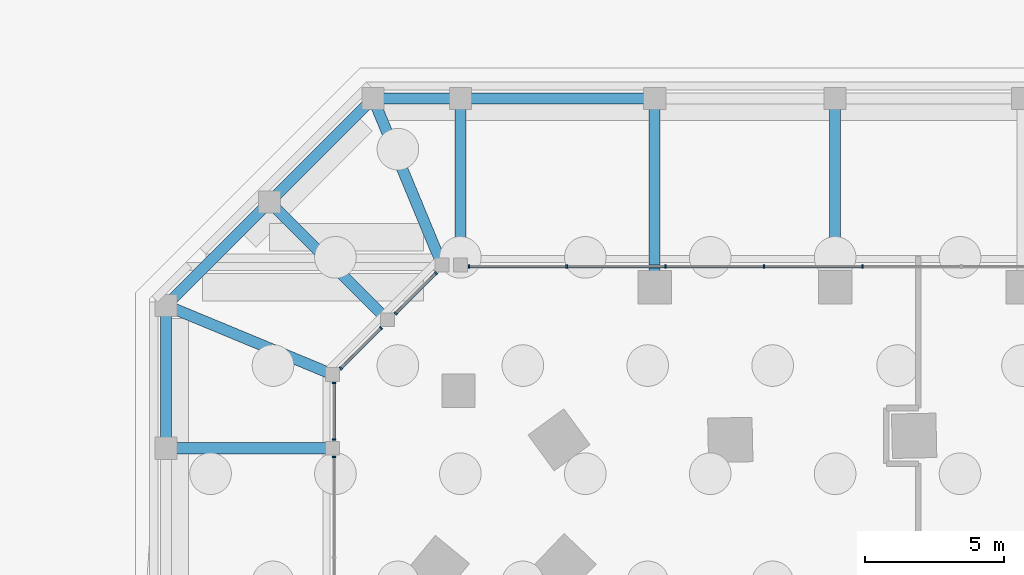
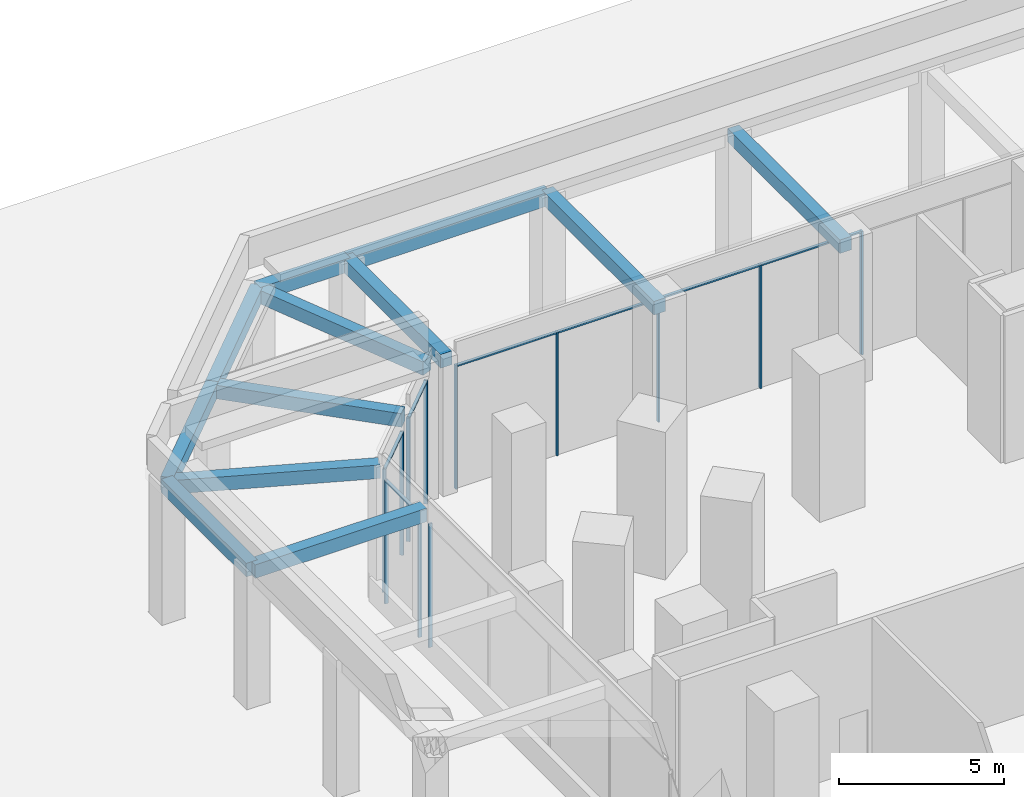
# One storey, part 31 of 46: 19 members, 12 beams, 5 elements without a shape of their own.
"""IFC4 building model written with IfcOpenShell, lengths in metres."""

from ifc_helpers import new_model, si_unit, direction, frame, origin, origin_2d, place, context, subcontext, project, spatial, rectangle, extrude, material, material_profile, profile_set, type_object, element, aggregate, save


model = new_model("IFC4")

# Units and contexts
model_context = context("Model", 3, precision=1e-05, world=origin(), true_north=direction((0.0, 1.0)))
body_context = subcontext(model_context, "Body", "Model", "MODEL_VIEW")
ifc_project = project(units=[si_unit("LENGTHUNIT", "METRE"), si_unit("AREAUNIT", "SQUARE_METRE"), si_unit("VOLUMEUNIT", "CUBIC_METRE"), si_unit("PLANEANGLEUNIT", "RADIAN"), si_unit("MASSUNIT", "GRAM", prefix="KILO")], contexts=[model_context])

# Site, building, storey
site_placement = place(None, origin())
site = spatial("IfcSite", under=ifc_project, at=site_placement, CompositionType="ELEMENT")
building_placement = place(site_placement, origin())
building = spatial("IfcBuilding", under=site, at=building_placement, Name="Mangrove Gate Tower", CompositionType="ELEMENT")
storey_placement = place(building_placement, origin())
storey = spatial("IfcBuildingStorey", under=building, at=storey_placement, Name="L00", CompositionType="ELEMENT", Elevation=0.0)

# Beams
ifc_material_1 = material(Name="Concrete C70/85", Category="concrete")
ifc_material_profile_1 = material_profile(ifc_material_1, rectangle(XDim=0.39990234375, YDim=0.5, at=origin_2d()))
ifc_profile_set_1 = profile_set([ifc_material_profile_1], Name="Concrete C70/85")
beam_type = type_object("IfcBeamType", Name="Canopy beam RC 400x500 C70/85", PredefinedType="BEAM", material=ifc_profile_set_1)
beam_1_placement = place(storey_placement, frame((-38.3720703125, 33.172119140625, 4.830078125), z_axis=(0.707129935029, 0.707083626586, 0.0), x_axis=(-0.707083626586, 0.707129935029, 0.0)))
element("IfcBeam", 1, at=beam_1_placement, inside=storey, type_object=beam_type, Name="Canopy beam L00 CEN00", PredefinedType="BEAM", context=body_context, shape_type="SweptSolid", body=[
    extrude(rectangle(XDim=0.39990234375, YDim=0.5, at=origin_2d()), origin(), (0.0, 0.0, 1.0), 5.27197265625),
])
beam_2_placement = place(storey_placement, frame((-34.64404296875, 36.89990234375, 4.830078125), z_axis=(1.0, 0.0, 0.0), x_axis=(0.0, 1.0, 0.0)))
element("IfcBeam", 2, at=beam_2_placement, inside=storey, type_object=beam_type, Name="Canopy beam L00 CEN01", PredefinedType="BEAM", context=body_context, shape_type="SweptSolid", body=[
    extrude(rectangle(XDim=0.39990234375, YDim=0.5, at=origin_2d()), origin(), (0.0, 0.0, 1.0), 3.14404296875),
])
beam_3_placement = place(storey_placement, frame((-31.5, 36.89990234375, 4.830078125), z_axis=(1.0, 0.0, 0.0), x_axis=(0.0, 1.0, 0.0)))
element("IfcBeam", 3, at=beam_3_placement, inside=storey, type_object=beam_type, Name="Canopy beam L00 CEN02", PredefinedType="BEAM", context=body_context, shape_type="SweptSolid", body=[
    extrude(rectangle(XDim=0.39990234375, YDim=0.5, at=origin_2d()), origin(), (0.0, 0.0, 1.0), 7.0),
])
beam_4_placement = place(storey_placement, frame((-42.10009765625, 24.300048828125, 4.830078125), z_axis=(0.0, 1.0, 0.0), x_axis=(-1.0, 0.0, 0.0)))
element("IfcBeam", 4, at=beam_4_placement, inside=storey, type_object=beam_type, Name="Canopy beam L00 CEW05", PredefinedType="BEAM", context=body_context, shape_type="SweptSolid", body=[
    extrude(rectangle(XDim=0.39990234375, YDim=0.5, at=origin_2d()), origin(), (0.0, 0.0, 1.0), 5.14404296875),
])
beam_5_placement = place(storey_placement, frame((-42.10009765625, 29.444091796875, 4.830078125), z_axis=(0.707106781187, 0.707106781187, 0.0), x_axis=(-0.707106781187, 0.707106781187, 0.0)))
element("IfcBeam", 5, at=beam_5_placement, inside=storey, type_object=beam_type, Name="Canopy beam L00 CEW06", PredefinedType="BEAM", context=body_context, shape_type="SweptSolid", body=[
    extrude(rectangle(XDim=0.39990234375, YDim=0.5, at=origin_2d()), origin(), (0.0, 0.0, 1.0), 5.272216796875),
])
beam_6_placement = place(storey_placement, frame((-34.12939453125, 28.92919921875, 4.830078125), z_axis=(-0.707086436595, 0.707127125192, 0.0), x_axis=(-0.707127125192, -0.707086436595, 0.0)))
element("IfcBeam", 6, at=beam_6_placement, inside=storey, type_object=beam_type, Name="Canopy beam L00 CBN00", PredefinedType="BEAM", context=body_context, shape_type="SweptSolid", body=[
    extrude(rectangle(XDim=0.39990234375, YDim=0.5, at=origin_2d()), origin(), (0.0, 0.0, 1.0), 6.000244140625),
])
beam_7_placement = place(storey_placement, frame((-32.16162109375, 30.90771484375, 4.830078125), z_axis=(-0.382732984475, 0.923859005798, 0.0), x_axis=(-0.923859005798, -0.382732984475, 0.0)))
element("IfcBeam", 7, at=beam_7_placement, inside=storey, type_object=beam_type, Name="Canopy beam L00 CBN01", PredefinedType="BEAM", context=body_context, shape_type="SweptSolid", body=[
    extrude(rectangle(XDim=0.39990234375, YDim=0.5, at=origin_2d()), origin(), (0.0, 0.0, 1.0), 6.486083984375),
])
beam_8_placement = place(storey_placement, frame((-31.5, 30.89990234375, 4.830078125), z_axis=(0.0, 1.0, 0.0), x_axis=(-1.0, 0.0, 0.0)))
element("IfcBeam", 8, at=beam_8_placement, inside=storey, type_object=beam_type, Name="Canopy beam L00 CBN02", PredefinedType="BEAM", context=body_context, shape_type="SweptSolid", body=[
    extrude(rectangle(XDim=0.39990234375, YDim=0.5, at=origin_2d()), origin(), (0.0, 0.0, 1.0), 6.0),
])
for number, where, z_axis, x_axis, name in (
    (9, (-24.5, 30.10009765625, 4.830078125), (0.0, 1.0, 0.0), (-1.0, 0.0, 0.0), "Canopy beam L00 CBN03"),
    (10, (-18.0, 30.10009765625, 4.830078125), (0.0, 1.0, 0.0), (-1.0, 0.0, 0.0), "Canopy beam L00 CBN04"),
):
    element("IfcBeam", number, at=place(storey_placement, frame(where, z_axis=z_axis, x_axis=x_axis)), inside=storey, type_object=beam_type, Name=name, PredefinedType="BEAM", context=body_context, shape_type="SweptSolid", body=[
        extrude(rectangle(XDim=0.39990234375, YDim=0.5, at=origin_2d()), origin(), (0.0, 0.0, 1.0), 6.7998046875),
    ])
beam_9_placement = place(storey_placement, frame((-36.10009765625, 24.300048828125, 4.830078125), z_axis=(-1.0, 0.0, 0.0), x_axis=(0.0, -1.0, 0.0)))
element("IfcBeam", 11, at=beam_9_placement, inside=storey, type_object=beam_type, Name="Canopy beam L00 CBW05", PredefinedType="BEAM", context=body_context, shape_type="SweptSolid", body=[
    extrude(rectangle(XDim=0.39990234375, YDim=0.5, at=origin_2d()), origin(), (0.0, 0.0, 1.0), 6.0),
])
beam_10_placement = place(storey_placement, frame((-36.107666015625, 26.961669921875, 4.830078125), z_axis=(-0.923864519325, 0.382719675392, 0.0), x_axis=(-0.382719675392, -0.923864519325, 0.0)))
element("IfcBeam", 12, at=beam_10_placement, inside=storey, type_object=beam_type, Name="Canopy beam L00 CBW06", PredefinedType="BEAM", context=body_context, shape_type="SweptSolid", body=[
    extrude(rectangle(XDim=0.39990234375, YDim=0.5, at=origin_2d()), origin(), (0.0, 0.0, 1.0), 6.486328125),
])

# Curtain wall, members
ifc_material_2 = material(Name="Aluminium and glass curtain wall", Category="aluminium")
curtain_wall_type = type_object("IfcCurtainWallType", Name="Podium shopfront glazing wall", PredefinedType="NOTDEFINED", material=ifc_material_2)
curtain_wall_1_placement = place(storey_placement, origin())
curtain_wall_1 = element("IfcCurtainWall", 13, at=curtain_wall_1_placement, inside=storey, type_object=curtain_wall_type, Name="Podium shopfront glazing N12s2", PredefinedType="NOTDEFINED")
ifc_material_3 = material(Name="Aluminium alloy 6063-T6", Category="aluminium")
ifc_material_profile_2 = material_profile(ifc_material_3, rectangle(XDim=0.06005859375, YDim=0.1201171875, at=origin_2d()))
ifc_profile_set_2 = profile_set([ifc_material_profile_2], Name="Aluminium alloy 6063-T6")
member_type_1 = type_object("IfcMemberType", Name="Podium shopfront glazing mullion 60x120", PredefinedType="MULLION", material=ifc_profile_set_2)
member_1_placement = place(storey_placement, frame((-17.010009765625, 30.85009765625, 0.0), z_axis=(0.0, 0.0, 1.0), x_axis=(-1.0, 0.0, 0.0)))
member_1 = element("IfcMember", 14, at=member_1_placement, type_object=member_type_1, Name="CWS mullion 5", PredefinedType="MULLION", context=body_context, shape_type="SweptSolid", body=[
    extrude(rectangle(XDim=0.06005859375, YDim=0.1201171875, at=origin_2d()), origin(), (0.0, 0.0, 1.0), 4.570068359375),
])
member_2_placement = place(storey_placement, frame((-20.5625, 30.85009765625, 0.0), z_axis=(0.0, 0.0, 1.0), x_axis=(-1.0, 0.0, 0.0)))
member_2 = element("IfcMember", 15, at=member_2_placement, type_object=member_type_1, Name="CWS mullion 6", PredefinedType="MULLION", context=body_context, shape_type="SweptSolid", body=[
    extrude(rectangle(XDim=0.06005859375, YDim=0.1201171875, at=origin_2d()), origin(), (0.0, 0.0, 1.0), 4.570068359375),
])
member_3_placement = place(storey_placement, frame((-24.114990234375, 30.85009765625, 0.0), z_axis=(0.0, 0.0, 1.0), x_axis=(-1.0, 0.0, 0.0)))
member_3 = element("IfcMember", 16, at=member_3_placement, type_object=member_type_1, Name="CWS mullion 7", PredefinedType="MULLION", context=body_context, shape_type="SweptSolid", body=[
    extrude(rectangle(XDim=0.06005859375, YDim=0.1201171875, at=origin_2d()), origin(), (0.0, 0.0, 1.0), 4.570068359375),
])
member_4_placement = place(storey_placement, frame((-27.66748046875, 30.85009765625, 0.0), z_axis=(0.0, 0.0, 1.0), x_axis=(-1.0, 0.0, 0.0)))
member_4 = element("IfcMember", 17, at=member_4_placement, type_object=member_type_1, Name="CWS mullion 8", PredefinedType="MULLION", context=body_context, shape_type="SweptSolid", body=[
    extrude(rectangle(XDim=0.06005859375, YDim=0.1201171875, at=origin_2d()), origin(), (0.0, 0.0, 1.0), 4.570068359375),
])
member_5_placement = place(storey_placement, frame((-31.18994140625, 30.85009765625, 0.0), z_axis=(0.0, 0.0, 1.0), x_axis=(-1.0, 0.0, 0.0)))
member_5 = element("IfcMember", 18, at=member_5_placement, type_object=member_type_1, Name="CWS mullion 9", PredefinedType="MULLION", context=body_context, shape_type="SweptSolid", body=[
    extrude(rectangle(XDim=0.06005859375, YDim=0.1201171875, at=origin_2d()), origin(), (0.0, 0.0, 1.0), 4.570068359375),
])

curtain_wall_2_placement = place(storey_placement, origin())
curtain_wall_2 = element("IfcCurtainWall", 19, at=curtain_wall_2_placement, inside=storey, type_object=curtain_wall_type, Name="Podium shopfront glazing N13s1", PredefinedType="NOTDEFINED")
member_6_placement = place(storey_placement, frame((-32.38134765625, 30.6064453125, 0.0), z_axis=(0.0, 0.0, 1.0), x_axis=(-0.707106781187, -0.707106781187, 0.0)))
member_6 = element("IfcMember", 20, at=member_6_placement, type_object=member_type_1, Name="CWS mullion 1", PredefinedType="MULLION", context=body_context, shape_type="SweptSolid", body=[
    extrude(rectangle(XDim=0.06005859375, YDim=0.1201171875, at=origin_2d()), origin(), (0.0, 0.0, 1.0), 4.570068359375),
])
member_7_placement = place(storey_placement, frame((-33.828125, 29.159912109375, 0.0), z_axis=(0.0, 0.0, 1.0), x_axis=(-0.707106781187, -0.707106781187, 0.0)))
member_7 = element("IfcMember", 21, at=member_7_placement, type_object=member_type_1, Name="CWS mullion 2", PredefinedType="MULLION", context=body_context, shape_type="SweptSolid", body=[
    extrude(rectangle(XDim=0.06005859375, YDim=0.1201171875, at=origin_2d()), origin(), (0.0, 0.0, 1.0), 4.570068359375),
])

curtain_wall_3_placement = place(storey_placement, origin())
curtain_wall_3 = element("IfcCurtainWall", 22, at=curtain_wall_3_placement, inside=storey, type_object=curtain_wall_type, Name="Podium shopfront glazing N13s2", PredefinedType="NOTDEFINED")
member_8_placement = place(storey_placement, frame((-34.35986328125, 28.628173828125, 0.0), z_axis=(0.0, 0.0, 1.0), x_axis=(-0.707106781187, -0.707106781187, 0.0)))
member_8 = element("IfcMember", 23, at=member_8_placement, type_object=member_type_1, Name="CWS mullion 1", PredefinedType="MULLION", context=body_context, shape_type="SweptSolid", body=[
    extrude(rectangle(XDim=0.06005859375, YDim=0.1201171875, at=origin_2d()), origin(), (0.0, 0.0, 1.0), 4.570068359375),
])
member_9_placement = place(storey_placement, frame((-35.806396484375, 27.181396484375, 0.0), z_axis=(0.0, 0.0, 1.0), x_axis=(-0.707106781187, -0.707106781187, 0.0)))
member_9 = element("IfcMember", 24, at=member_9_placement, type_object=member_type_1, Name="CWS mullion 2", PredefinedType="MULLION", context=body_context, shape_type="SweptSolid", body=[
    extrude(rectangle(XDim=0.06005859375, YDim=0.1201171875, at=origin_2d()), origin(), (0.0, 0.0, 1.0), 4.570068359375),
])

curtain_wall_4_placement = place(storey_placement, origin())
curtain_wall_4 = element("IfcCurtainWall", 25, at=curtain_wall_4_placement, inside=storey, type_object=curtain_wall_type, Name="Podium shopfront glazing W14s1", PredefinedType="NOTDEFINED")
member_10_placement = place(storey_placement, frame((-36.050048828125, 26.651611328125, 0.0), z_axis=(0.0, 0.0, 1.0), x_axis=(0.0, -1.0, 0.0)))
member_10 = element("IfcMember", 26, at=member_10_placement, type_object=member_type_1, Name="CWS mullion 1", PredefinedType="MULLION", context=body_context, shape_type="SweptSolid", body=[
    extrude(rectangle(XDim=0.06005859375, YDim=0.1201171875, at=origin_2d()), origin(), (0.0, 0.0, 1.0), 4.570068359375),
])
member_11_placement = place(storey_placement, frame((-36.050048828125, 24.610107421875, 0.0), z_axis=(0.0, 0.0, 1.0), x_axis=(0.0, -1.0, 0.0)))
member_11 = element("IfcMember", 27, at=member_11_placement, type_object=member_type_1, Name="CWS mullion 2", PredefinedType="MULLION", context=body_context, shape_type="SweptSolid", body=[
    extrude(rectangle(XDim=0.06005859375, YDim=0.1201171875, at=origin_2d()), origin(), (0.0, 0.0, 1.0), 4.570068359375),
])

# Curtain wall, member
curtain_wall_5_placement = place(storey_placement, origin())
curtain_wall_5 = element("IfcCurtainWall", 28, at=curtain_wall_5_placement, inside=storey, type_object=curtain_wall_type, Name="Podium shopfront glazing W14s2", PredefinedType="NOTDEFINED")
member_12_placement = place(storey_placement, frame((-36.050048828125, 23.989990234375, 0.0), z_axis=(0.0, 0.0, 1.0), x_axis=(0.0, -1.0, 0.0)))
member_12 = element("IfcMember", 29, at=member_12_placement, type_object=member_type_1, Name="CWS mullion 1", PredefinedType="MULLION", context=body_context, shape_type="SweptSolid", body=[
    extrude(rectangle(XDim=0.06005859375, YDim=0.1201171875, at=origin_2d()), origin(), (0.0, 0.0, 1.0), 4.570068359375),
])
aggregate(curtain_wall_5, [member_12])

# Member
ifc_material_4 = material(Name="Aluminium alloy 6063-T6", Category="aluminium")
ifc_material_profile_3 = material_profile(ifc_material_4, rectangle(XDim=0.06005859375, YDim=0.10009765625, at=origin_2d()))
ifc_profile_set_3 = profile_set([ifc_material_profile_3], Name="Aluminium alloy 6063-T6")
member_type_2 = type_object("IfcMemberType", Name="Podium shopfront glazing transom 60x100", PredefinedType="USERDEFINED", material=ifc_profile_set_3)
member_13_placement = place(storey_placement, frame((-17.0400390625, 30.85009765625, 4.5400390625), z_axis=(-1.0, 0.0, 0.0), x_axis=(0.0, 0.0, 1.0)))
member_13 = element("IfcMember", 30, at=member_13_placement, type_object=member_type_2, Name="CWS transom 5.2", ObjectType="TRANSOM", PredefinedType="USERDEFINED", context=body_context, shape_type="SweptSolid", body=[
    extrude(rectangle(XDim=0.06005859375, YDim=0.10009765625, at=origin_2d()), origin(), (0.0, 0.0, 1.0), 3.492431640625),
])

member_14_placement = place(storey_placement, frame((-20.592529296875, 30.85009765625, 4.5400390625), z_axis=(-1.0, 0.0, 0.0), x_axis=(0.0, 0.0, 1.0)))
member_14 = element("IfcMember", 31, at=member_14_placement, type_object=member_type_2, Name="CWS transom 6.2", ObjectType="TRANSOM", PredefinedType="USERDEFINED", context=body_context, shape_type="SweptSolid", body=[
    extrude(rectangle(XDim=0.06005859375, YDim=0.10009765625, at=origin_2d()), origin(), (0.0, 0.0, 1.0), 3.492431640625),
])

member_15_placement = place(storey_placement, frame((-24.14501953125, 30.85009765625, 4.5400390625), z_axis=(-1.0, 0.0, 0.0), x_axis=(0.0, 0.0, 1.0)))
member_15 = element("IfcMember", 32, at=member_15_placement, type_object=member_type_2, Name="CWS transom 7.2", ObjectType="TRANSOM", PredefinedType="USERDEFINED", context=body_context, shape_type="SweptSolid", body=[
    extrude(rectangle(XDim=0.06005859375, YDim=0.10009765625, at=origin_2d()), origin(), (0.0, 0.0, 1.0), 3.492431640625),
])

member_16_placement = place(storey_placement, frame((-27.697509765625, 30.85009765625, 4.5400390625), z_axis=(-1.0, 0.0, 0.0), x_axis=(0.0, 0.0, 1.0)))
member_16 = element("IfcMember", 33, at=member_16_placement, type_object=member_type_2, Name="CWS transom 8.2", ObjectType="TRANSOM", PredefinedType="USERDEFINED", context=body_context, shape_type="SweptSolid", body=[
    extrude(rectangle(XDim=0.06005859375, YDim=0.10009765625, at=origin_2d()), origin(), (0.0, 0.0, 1.0), 3.46240234375),
])

aggregate(curtain_wall_1, [member_1, member_2, member_3, member_4, member_5, member_13, member_14, member_15, member_16])

member_17_placement = place(storey_placement, frame((-32.402587890625, 30.585205078125, 4.5400390625), z_axis=(-0.707106781187, -0.707106781187, 0.0), x_axis=(0.0, 0.0, 1.0)))
member_17 = element("IfcMember", 34, at=member_17_placement, type_object=member_type_2, Name="CWS transom 1.2", ObjectType="TRANSOM", PredefinedType="USERDEFINED", context=body_context, shape_type="SweptSolid", body=[
    extrude(rectangle(XDim=0.06005859375, YDim=0.10009765625, at=origin_2d()), origin(), (0.0, 0.0, 1.0), 1.986083984375),
])

aggregate(curtain_wall_2, [member_6, member_7, member_17])

member_18_placement = place(storey_placement, frame((-34.381103515625, 28.60693359375, 4.5400390625), z_axis=(-0.707045307005, -0.707168250024, 0.0), x_axis=(0.0, 0.0, 1.0)))
member_18 = element("IfcMember", 35, at=member_18_placement, type_object=member_type_2, Name="CWS transom 1.2", ObjectType="TRANSOM", PredefinedType="USERDEFINED", context=body_context, shape_type="SweptSolid", body=[
    extrude(rectangle(XDim=0.06005859375, YDim=0.10009765625, at=origin_2d()), origin(), (0.0, 0.0, 1.0), 1.98583984375),
])

aggregate(curtain_wall_3, [member_8, member_9, member_18])

member_19_placement = place(storey_placement, frame((-36.050048828125, 26.621826171875, 4.5400390625), z_axis=(0.0, -1.0, 0.0), x_axis=(0.0, 0.0, 1.0)))
member_19 = element("IfcMember", 36, at=member_19_placement, type_object=member_type_2, Name="CWS transom 1.2", ObjectType="TRANSOM", PredefinedType="USERDEFINED", context=body_context, shape_type="SweptSolid", body=[
    extrude(rectangle(XDim=0.06005859375, YDim=0.10009765625, at=origin_2d()), origin(), (0.0, 0.0, 1.0), 1.98193359375),
])

aggregate(curtain_wall_4, [member_10, member_11, member_19])

save(model, "model.ifc")
